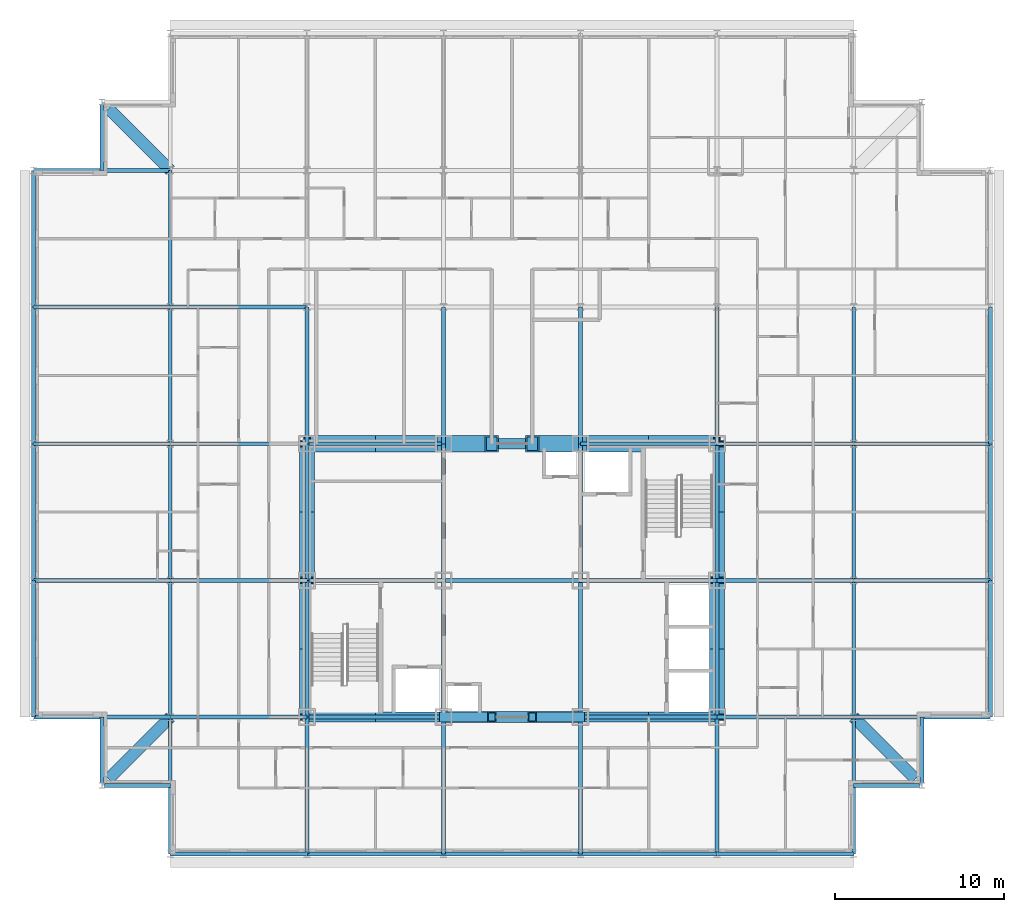
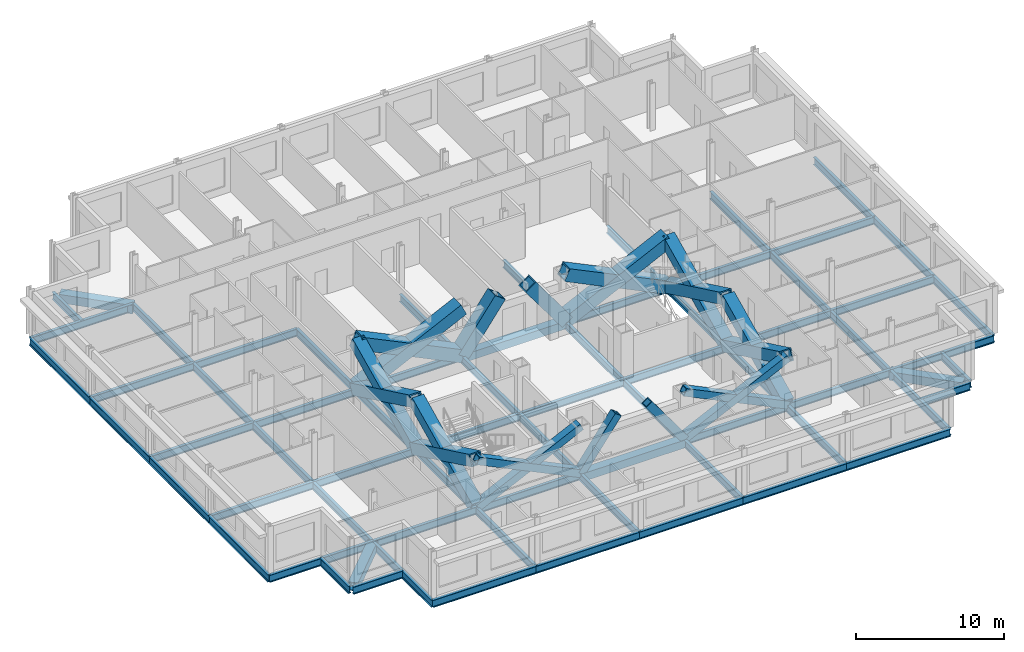
# One storey, part 5 of 15: 69 beams, 20 members.
"""IFC4 building model written with IfcOpenShell, lengths in metres."""

import ifcopenshell
import ifcopenshell.guid

model = None  # the IFC model being written
_history = None  # IfcOwnerHistory: only IFC2X3 demands one
_inside = {}  # id of a spatial element -> (the spatial element, [elements in it])
_under = {}  # id of a project, library or spatial element -> (it, [spatial elements below it])
_declared = {}  # id of a project -> (the project, [libraries it declares])
_typed = {}  # id of a type object -> (the type object, [elements of that type])
_made_of = {}  # id of a material, layer set ... -> (it, [elements and type objects made of it])


def new_model(schema):
    """Start an empty IFC model of exactly this schema.

    Asked for "IFC4X3", IfcOpenShell would pick the latest addendum, in which some entities
    have other attributes; the version numbers below select the first issue.
    IFC2X3 requires an IfcOwnerHistory on every rooted entity: one is made here for all.
    """
    global model, _history
    if schema == "IFC4X3":
        model = ifcopenshell.file(schema_version=(4, 3, 0, 0))
    else:
        model = ifcopenshell.file(schema=schema)
    _inside.clear()
    _under.clear()
    _declared.clear()
    _typed.clear()
    _made_of.clear()
    _history = None
    if model.schema == "IFC2X3":
        org = make("IfcOrganization", Name="unknown")
        user = make(
            "IfcPersonAndOrganization",
            ThePerson=make("IfcPerson", FamilyName="unknown"),
            TheOrganization=org,
        )
        app = make(
            "IfcApplication",
            ApplicationDeveloper=org,
            Version="unknown",
            ApplicationFullName="unknown",
            ApplicationIdentifier="unknown",
        )
        _history = make(
            "IfcOwnerHistory",
            OwningUser=user,
            OwningApplication=app,
            ChangeAction="ADDED",
            CreationDate=0,
        )
    return model


def make(cls, **values):
    """One entity of the class cls with the attributes given. An attribute that is None is left unset."""
    return model.create_entity(
        cls, **{name: value for name, value in values.items() if value is not None}
    )


def rooted(cls, **values):
    """An entity with a GlobalId (a new one), such as an element, a storey or a relation."""
    return make(cls, GlobalId=ifcopenshell.guid.new(), OwnerHistory=_history, **values)


def si_unit(unit_type, name, prefix=None):
    """IfcSIUnit, for example si_unit("LENGTHUNIT", "METRE", prefix="MILLI")."""
    return make("IfcSIUnit", UnitType=unit_type, Prefix=prefix, Name=name)


def assignment(units):
    """IfcUnitAssignment: the units of a project."""
    return None if units is None else make("IfcUnitAssignment", Units=units)


def point(xyz):
    """IfcCartesianPoint."""
    return None if xyz is None else make("IfcCartesianPoint", Coordinates=xyz)


def direction(xyz):
    """IfcDirection."""
    return None if xyz is None else make("IfcDirection", DirectionRatios=xyz)


def frame(location, z_axis=None, x_axis=None):
    """IfcAxis2Placement3D, a coordinate frame: its origin and axes. An axis left out is left unset."""
    return make(
        "IfcAxis2Placement3D",
        Location=point(location),
        Axis=direction(z_axis),
        RefDirection=direction(x_axis),
    )


def frame_2d(location, x_axis=None):
    """IfcAxis2Placement2D, a coordinate frame in the plane: its origin and x axis."""
    return make(
        "IfcAxis2Placement2D", Location=point(location), RefDirection=direction(x_axis)
    )


def origin():
    """The frame at (0, 0, 0) with its axes left unset."""
    return frame((0.0, 0.0, 0.0))


def origin_2d():
    """The frame at (0, 0) in the plane with its x axis left unset."""
    return frame_2d((0.0, 0.0))


def place(relative_to, where):
    """IfcLocalPlacement: puts the frame where relative to a parent placement (None: the world)."""
    return make(
        "IfcLocalPlacement", PlacementRelTo=relative_to, RelativePlacement=where
    )


def context(
    kind, dimensions, precision=None, world=None, true_north=None, identifier=None
):
    """IfcGeometricRepresentationContext, for example the 3D "Model" context."""
    return make(
        "IfcGeometricRepresentationContext",
        ContextIdentifier=identifier,
        ContextType=kind,
        CoordinateSpaceDimension=dimensions,
        Precision=precision,
        WorldCoordinateSystem=world,
        TrueNorth=true_north,
    )


def subcontext(parent, identifier, kind, view, scale=None):
    """IfcGeometricRepresentationSubContext, for example "Body" below "Model"."""
    return make(
        "IfcGeometricRepresentationSubContext",
        ContextIdentifier=identifier,
        ContextType=kind,
        ParentContext=parent,
        TargetScale=scale,
        TargetView=view,
    )


def project(units=None, contexts=None):
    """IfcProject with its units and contexts."""
    return rooted(
        "IfcProject",
        Name="project",
        RepresentationContexts=contexts,
        UnitsInContext=assignment(units),
    )


def spatial(cls, under=None, at=None, **own):
    """A site, building, storey or space (cls), placed at a placement, below another one or the project."""
    s = rooted(cls, ObjectPlacement=at, **own)
    if under is not None:
        _under.setdefault(under.id(), (under, []))[1].append(s)
    return s


def profile(cls, at=None, kind="AREA", **sizes):
    """A parametric profile (cls). Its sizes go by their IFC names, for example OverallWidth=200.0."""
    return make(cls, ProfileType=kind, Position=at, **sizes)


def hollow_rectangle(**sizes):
    """IfcRectangleHollowProfileDef."""
    return profile("IfcRectangleHollowProfileDef", **sizes)


def i_section(**sizes):
    """IfcIShapeProfileDef."""
    return profile("IfcIShapeProfileDef", **sizes)


def extrude(swept, where, along, depth):
    """IfcExtrudedAreaSolid: the profile swept, set in the frame where, extruded along a direction by depth."""
    return make(
        "IfcExtrudedAreaSolid",
        SweptArea=swept,
        Position=where,
        ExtrudedDirection=direction(along),
        Depth=depth,
    )


def shape(context_of_items, identifier, shape_type, items):
    """IfcShapeRepresentation: the items that make up one representation, for example the "Body"."""
    return make(
        "IfcShapeRepresentation",
        ContextOfItems=context_of_items,
        RepresentationIdentifier=identifier,
        RepresentationType=shape_type,
        Items=items,
    )


def material(Name=None, Category=None):
    """IfcMaterial."""
    return make("IfcMaterial", Name=Name, Category=Category)


def material_profile(
    of_material, cross_section, Name=None, Category=None, Priority=None
):
    """IfcMaterialProfile: a cross section and its material."""
    return make(
        "IfcMaterialProfile",
        Name=Name,
        Material=of_material,
        Profile=cross_section,
        Priority=Priority,
        Category=Category,
    )


def profile_set(profiles, Name=None, composite=None):
    """IfcMaterialProfileSet."""
    return make(
        "IfcMaterialProfileSet",
        Name=Name,
        MaterialProfiles=profiles,
        CompositeProfile=composite,
    )


def made_of(thing, what):
    """Note that an element or type object is made of a material, layer set ...; save() writes the relation."""
    if what is not None:
        _made_of.setdefault(what.id(), (what, []))[1].append(thing)
    return thing


def type_object(cls, material=None, **own):
    """A type object (cls), such as IfcWallType, which elements share."""
    return made_of(rooted(cls, **own), material)


def element(
    cls,
    number,
    at=None,
    inside=None,
    cuts=None,
    type_object=None,
    material=None,
    context=None,
    identifier="Body",
    shape_type=None,
    held_by="IfcProductDefinitionShape",
    body=None,
    shapes=None,
    **own,
):
    """One element of the class cls, such as IfcWall. Its Tag is "e" and its number.

    at: its placement. inside: the storey or other place that contains it. cuts: it is an
    opening in that element (IfcRelVoidsElement). A single representation is given by context,
    identifier, shape_type and body (its items); several are given by shapes. held_by: the class
    of the entity that holds the representations. save() writes the other relations.
    """
    e = rooted(cls, Tag="e%d" % number, ObjectPlacement=at, **own)
    if body is not None:
        shapes = [shape(context, identifier, shape_type, body)]
    if shapes is not None:
        e.Representation = make(held_by, Representations=shapes)
    if inside is not None:
        _inside.setdefault(inside.id(), (inside, []))[1].append(e)
    if cuts is not None:
        rooted(
            "IfcRelVoidsElement", RelatingBuildingElement=cuts, RelatedOpeningElement=e
        )
    if type_object is not None:
        _typed.setdefault(type_object.id(), (type_object, []))[1].append(e)
    return made_of(e, material)


def aggregate(whole, parts):
    """IfcRelAggregates: a whole, such as a stair, and the parts it consists of."""
    return rooted("IfcRelAggregates", RelatingObject=whole, RelatedObjects=parts)


def save(model, path):
    """Write the relations noted so far, then the file.

    IfcRelAggregates (storeys below a building ...), IfcRelContainedInSpatialStructure (elements
    in a storey), IfcRelDefinesByType, IfcRelAssociatesMaterial and IfcRelDeclares: one each for
    every whole, place, type object, material and project.
    """
    for whole, parts in _under.values():
        aggregate(whole, parts)
    for where, things in _inside.values():
        rooted(
            "IfcRelContainedInSpatialStructure",
            RelatedElements=things,
            RelatingStructure=where,
        )
    for kind, things in _typed.values():
        rooted("IfcRelDefinesByType", RelatedObjects=things, RelatingType=kind)
    for what, things in _made_of.values():
        rooted("IfcRelAssociatesMaterial", RelatedObjects=things, RelatingMaterial=what)
    for by, libraries in _declared.values():
        rooted("IfcRelDeclares", RelatingContext=by, RelatedDefinitions=libraries)
    model.write(path)


model = new_model("IFC4")

# Units and contexts
model_context = context("Model", 3, precision=1e-05, world=origin(), true_north=direction((0.0, 1.0)))
body_context = subcontext(model_context, "Body", "Model", "MODEL_VIEW")
ifc_project = project(units=[si_unit("LENGTHUNIT", "METRE"), si_unit("AREAUNIT", "SQUARE_METRE"), si_unit("VOLUMEUNIT", "CUBIC_METRE"), si_unit("PLANEANGLEUNIT", "RADIAN"), si_unit("MASSUNIT", "GRAM", prefix="KILO")], contexts=[model_context])

# Site, building, storey
site_placement = place(None, origin())
site = spatial("IfcSite", under=ifc_project, at=site_placement, CompositionType="ELEMENT")
building_placement = place(site_placement, origin())
building = spatial("IfcBuilding", under=site, at=building_placement, Name="Kopane Lantern Tower", CompositionType="ELEMENT")
storey_placement = place(building_placement, frame((0.0, 0.0, 273.60009765625)))
storey = spatial("IfcBuildingStorey", under=building, at=storey_placement, Name="L70", CompositionType="ELEMENT", Elevation=273.60009765625)

# Members
ifc_material_1 = material(Name="Steel S355JR", Category="steel")
ifc_material_profile_1 = material_profile(ifc_material_1, hollow_rectangle(XDim=1.0, YDim=1.0, WallThickness=0.10009765625, at=origin_2d()), Name="BOX 1000x1000x100")
ifc_profile_set_1 = profile_set([ifc_material_profile_1], Name="Steel S355JR")
member_type_1 = type_object("IfcMemberType", Name="BRACE BOX 1000x1000x100", PredefinedType="BRACE", material=ifc_profile_set_1)
for number, where, z_axis, x_axis, name in (
    (1, (16.199951171875, 40.5, -0.210205078125), (0.900997345243, 0.0, 0.433824600345), (0.0, 1.0, 0.0), "Core brace L70"),
    (2, (24.300048828125, 40.5, -0.210205078125), (-0.900997345243, 0.0, 0.433824600345), (0.0, -1.0, 0.0), "Core brace L70"),
):
    element("IfcMember", number, at=place(storey_placement, frame(where, z_axis=z_axis, x_axis=x_axis)), inside=storey, type_object=member_type_1, Name=name, PredefinedType="BRACE", context=body_context, shape_type="SweptSolid", body=[
        extrude(hollow_rectangle(XDim=1.0, YDim=1.0, WallThickness=0.10009765625, at=origin_2d()), origin(), (0.0, 0.0, 1.0), 8.990234375),
    ])
for number, where, z_axis, x_axis, name in (
    (3, (24.300048828125, 40.5, -0.210205078125), (0.589982373942, 0.0, 0.807416124708), (0.0, 1.0, 0.0), "Core brace L70"),
    (4, (32.39990234375, 40.5, -0.210205078125), (-0.589982373942, 0.0, 0.807416124708), (0.0, -1.0, 0.0), "Core brace L70"),
):
    element("IfcMember", number, at=place(storey_placement, frame(where, z_axis=z_axis, x_axis=x_axis)), inside=storey, type_object=member_type_1, Name=name, PredefinedType="BRACE", context=body_context, shape_type="SweptSolid", body=[
        extrude(hollow_rectangle(XDim=1.0, YDim=1.0, WallThickness=0.10009765625, at=origin_2d()), origin(), (0.0, 0.0, 1.0), 4.830322265625),
    ])
for number, where, z_axis, x_axis, name in (
    (5, (32.39990234375, 40.5, -0.210205078125), (0.900997345243, 0.0, 0.433824600345), (0.0, 1.0, 0.0), "Core brace L70"),
    (6, (40.5, 40.5, -0.210205078125), (-0.900997345243, 0.0, 0.433824600345), (0.0, -1.0, 0.0), "Core brace L70"),
):
    element("IfcMember", number, at=place(storey_placement, frame(where, z_axis=z_axis, x_axis=x_axis)), inside=storey, type_object=member_type_1, Name=name, PredefinedType="BRACE", context=body_context, shape_type="SweptSolid", body=[
        extrude(hollow_rectangle(XDim=1.0, YDim=1.0, WallThickness=0.10009765625, at=origin_2d()), origin(), (0.0, 0.0, 1.0), 8.990234375),
    ])
ifc_material_2 = material(Name="Steel S355JR", Category="steel")
ifc_material_profile_2 = material_profile(ifc_material_2, hollow_rectangle(XDim=0.60009765625, YDim=0.60009765625, WallThickness=0.06005859375, at=origin_2d()), Name="BOX 600x600x60")
ifc_profile_set_2 = profile_set([ifc_material_profile_2], Name="Steel S355JR")
member_type_2 = type_object("IfcMemberType", Name="BRACE BOX 600x600x60", PredefinedType="BRACE", material=ifc_profile_set_2)
for number, where, z_axis, x_axis, name in (
    (7, (16.199951171875, 24.300048828125, -0.210205078125), (0.900997345243, 0.0, 0.433824600345), (0.0, 1.0, 0.0), "Core brace L70"),
    (8, (24.300048828125, 24.300048828125, -0.210205078125), (-0.900997345243, 0.0, 0.433824600345), (0.0, -1.0, 0.0), "Core brace L70"),
):
    element("IfcMember", number, at=place(storey_placement, frame(where, z_axis=z_axis, x_axis=x_axis)), inside=storey, type_object=member_type_2, Name=name, PredefinedType="BRACE", context=body_context, shape_type="SweptSolid", body=[
        extrude(hollow_rectangle(XDim=0.60009765625, YDim=0.60009765625, WallThickness=0.06005859375, at=origin_2d()), origin(), (0.0, 0.0, 1.0), 8.990234375),
    ])
for number, where, z_axis, x_axis, name in (
    (9, (24.300048828125, 24.300048828125, -0.210205078125), (0.589982373942, 0.0, 0.807416124708), (0.0, 1.0, 0.0), "Core brace L70"),
    (10, (32.39990234375, 24.300048828125, -0.210205078125), (-0.589982373942, 0.0, 0.807416124708), (0.0, -1.0, 0.0), "Core brace L70"),
):
    element("IfcMember", number, at=place(storey_placement, frame(where, z_axis=z_axis, x_axis=x_axis)), inside=storey, type_object=member_type_2, Name=name, PredefinedType="BRACE", context=body_context, shape_type="SweptSolid", body=[
        extrude(hollow_rectangle(XDim=0.60009765625, YDim=0.60009765625, WallThickness=0.06005859375, at=origin_2d()), origin(), (0.0, 0.0, 1.0), 4.830322265625),
    ])
for number, where, z_axis, x_axis, name in (
    (11, (32.39990234375, 24.300048828125, -0.210205078125), (0.900997345243, 0.0, 0.433824600345), (0.0, 1.0, 0.0), "Core brace L70"),
    (12, (40.5, 24.300048828125, -0.210205078125), (-0.900997345243, 0.0, 0.433824600345), (0.0, -1.0, 0.0), "Core brace L70"),
):
    element("IfcMember", number, at=place(storey_placement, frame(where, z_axis=z_axis, x_axis=x_axis)), inside=storey, type_object=member_type_2, Name=name, PredefinedType="BRACE", context=body_context, shape_type="SweptSolid", body=[
        extrude(hollow_rectangle(XDim=0.60009765625, YDim=0.60009765625, WallThickness=0.06005859375, at=origin_2d()), origin(), (0.0, 0.0, 1.0), 8.990234375),
    ])
ifc_material_3 = material(Name="Steel S355JR", Category="steel")
ifc_material_profile_3 = material_profile(ifc_material_3, hollow_rectangle(XDim=0.89990234375, YDim=0.89990234375, WallThickness=0.090087890625, at=origin_2d()), Name="BOX 900x900x90")
ifc_profile_set_3 = profile_set([ifc_material_profile_3], Name="Steel S355JR")
member_type_3 = type_object("IfcMemberType", Name="BRACE BOX 900x900x90", PredefinedType="BRACE", material=ifc_profile_set_3)
for number, where, z_axis, x_axis, name in (
    (13, (16.199951171875, 24.300048828125, -0.210205078125), (0.0, 0.900992234105, 0.433835215355), (-1.0, 0.0, 0.0), "Core brace L70"),
    (14, (16.199951171875, 32.39990234375, -0.210205078125), (0.0, -0.900992234105, 0.433835215355), (1.0, 0.0, 0.0), "Core brace L70"),
):
    element("IfcMember", number, at=place(storey_placement, frame(where, z_axis=z_axis, x_axis=x_axis)), inside=storey, type_object=member_type_3, Name=name, PredefinedType="BRACE", context=body_context, shape_type="SweptSolid", body=[
        extrude(hollow_rectangle(XDim=0.89990234375, YDim=0.89990234375, WallThickness=0.090087890625, at=origin_2d()), origin(), (0.0, 0.0, 1.0), 8.989990234375),
    ])
for number, where, z_axis, x_axis, name in (
    (15, (16.199951171875, 32.39990234375, -0.210205078125), (0.0, 0.900997345243, 0.433824600345), (-1.0, 0.0, 0.0), "Core brace L70"),
    (16, (16.199951171875, 40.5, -0.210205078125), (0.0, -0.900997345243, 0.433824600345), (1.0, 0.0, 0.0), "Core brace L70"),
):
    element("IfcMember", number, at=place(storey_placement, frame(where, z_axis=z_axis, x_axis=x_axis)), inside=storey, type_object=member_type_3, Name=name, PredefinedType="BRACE", context=body_context, shape_type="SweptSolid", body=[
        extrude(hollow_rectangle(XDim=0.89990234375, YDim=0.89990234375, WallThickness=0.090087890625, at=origin_2d()), origin(), (0.0, 0.0, 1.0), 8.990234375),
    ])
for number, where, z_axis, x_axis, name in (
    (17, (40.5, 24.300048828125, -0.210205078125), (0.0, 0.900992234105, 0.433835215355), (-1.0, 0.0, 0.0), "Core brace L70"),
    (18, (40.5, 32.39990234375, -0.210205078125), (0.0, -0.900992234105, 0.433835215355), (1.0, 0.0, 0.0), "Core brace L70"),
):
    element("IfcMember", number, at=place(storey_placement, frame(where, z_axis=z_axis, x_axis=x_axis)), inside=storey, type_object=member_type_3, Name=name, PredefinedType="BRACE", context=body_context, shape_type="SweptSolid", body=[
        extrude(hollow_rectangle(XDim=0.89990234375, YDim=0.89990234375, WallThickness=0.090087890625, at=origin_2d()), origin(), (0.0, 0.0, 1.0), 8.989990234375),
    ])
for number, where, z_axis, x_axis, name in (
    (19, (40.5, 32.39990234375, -0.210205078125), (0.0, 0.900997345243, 0.433824600345), (-1.0, 0.0, 0.0), "Core brace L70"),
    (20, (40.5, 40.5, -0.210205078125), (0.0, -0.900997345243, 0.433824600345), (1.0, 0.0, 0.0), "Core brace L70"),
):
    element("IfcMember", number, at=place(storey_placement, frame(where, z_axis=z_axis, x_axis=x_axis)), inside=storey, type_object=member_type_3, Name=name, PredefinedType="BRACE", context=body_context, shape_type="SweptSolid", body=[
        extrude(hollow_rectangle(XDim=0.89990234375, YDim=0.89990234375, WallThickness=0.090087890625, at=origin_2d()), origin(), (0.0, 0.0, 1.0), 8.990234375),
    ])

# Beams
ifc_material_4 = material(Name="Steel S355JR", Category="steel")
ifc_material_profile_4 = material_profile(ifc_material_4, i_section(OverallWidth=0.22900390625, OverallDepth=0.6123046875, WebThickness=0.011962890625, FlangeThickness=0.01953125, FilletRadius=0.0126953125, at=origin_2d()), Name="UB 610x229x125")
ifc_profile_set_4 = profile_set([ifc_material_profile_4], Name="Steel S355JR")
beam_type_1 = type_object("IfcBeamType", Name="CORE BEAM UB 610x229x125", PredefinedType="BEAM", material=ifc_profile_set_4)
beam_1_placement = place(storey_placement, frame((16.199951171875, 32.39990234375, -0.51611328125), z_axis=(1.0, 0.0, 0.0), x_axis=(0.0, 1.0, 0.0)))
element("IfcBeam", 21, at=beam_1_placement, inside=storey, type_object=beam_type_1, Name="Core Beam L70", PredefinedType="BEAM", context=body_context, shape_type="SweptSolid", body=[
    extrude(i_section(OverallWidth=0.22900390625, OverallDepth=0.6123046875, WebThickness=0.011962890625, FlangeThickness=0.01953125, FilletRadius=0.0126953125, at=origin_2d()), origin(), (0.0, 0.0, 1.0), 8.10009765625),
])
beam_2_placement = place(storey_placement, frame((24.300048828125, 24.300048828125, -0.51611328125), z_axis=(0.0, 1.0, 0.0), x_axis=(-1.0, 0.0, 0.0)))
element("IfcBeam", 22, at=beam_2_placement, inside=storey, type_object=beam_type_1, Name="Core Beam L70", PredefinedType="BEAM", context=body_context, shape_type="SweptSolid", body=[
    extrude(i_section(OverallWidth=0.22900390625, OverallDepth=0.6123046875, WebThickness=0.011962890625, FlangeThickness=0.01953125, FilletRadius=0.0126953125, at=origin_2d()), origin(), (0.0, 0.0, 1.0), 8.099853515625),
])
beam_3_placement = place(storey_placement, frame((24.300048828125, 32.39990234375, -0.51611328125), z_axis=(0.0, 1.0, 0.0), x_axis=(-1.0, 0.0, 0.0)))
element("IfcBeam", 23, at=beam_3_placement, inside=storey, type_object=beam_type_1, Name="Core Beam L70", PredefinedType="BEAM", context=body_context, shape_type="SweptSolid", body=[
    extrude(i_section(OverallWidth=0.22900390625, OverallDepth=0.6123046875, WebThickness=0.011962890625, FlangeThickness=0.01953125, FilletRadius=0.0126953125, at=origin_2d()), origin(), (0.0, 0.0, 1.0), 8.10009765625),
])
for number, where, z_axis, x_axis, name in (
    (24, (24.300048828125, 32.39990234375, -0.51611328125), (1.0, 0.0, 0.0), (0.0, 1.0, 0.0), "Core Beam L70"),
    (25, (32.39990234375, 24.300048828125, -0.51611328125), (0.0, 1.0, 0.0), (-1.0, 0.0, 0.0), "Core Beam L70"),
):
    element("IfcBeam", number, at=place(storey_placement, frame(where, z_axis=z_axis, x_axis=x_axis)), inside=storey, type_object=beam_type_1, Name=name, PredefinedType="BEAM", context=body_context, shape_type="SweptSolid", body=[
        extrude(i_section(OverallWidth=0.22900390625, OverallDepth=0.6123046875, WebThickness=0.011962890625, FlangeThickness=0.01953125, FilletRadius=0.0126953125, at=origin_2d()), origin(), (0.0, 0.0, 1.0), 8.099853515625),
    ])
for number, where, z_axis, x_axis, name in (
    (26, (32.39990234375, 32.39990234375, -0.51611328125), (0.0, 1.0, 0.0), (-1.0, 0.0, 0.0), "Core Beam L70"),
    (27, (32.39990234375, 32.39990234375, -0.51611328125), (1.0, 0.0, 0.0), (0.0, 1.0, 0.0), "Core Beam L70"),
):
    element("IfcBeam", number, at=place(storey_placement, frame(where, z_axis=z_axis, x_axis=x_axis)), inside=storey, type_object=beam_type_1, Name=name, PredefinedType="BEAM", context=body_context, shape_type="SweptSolid", body=[
        extrude(i_section(OverallWidth=0.22900390625, OverallDepth=0.6123046875, WebThickness=0.011962890625, FlangeThickness=0.01953125, FilletRadius=0.0126953125, at=origin_2d()), origin(), (0.0, 0.0, 1.0), 8.10009765625),
    ])
ifc_material_5 = material(Name="Steel S355JR", Category="steel")
ifc_material_profile_5 = material_profile(ifc_material_5, hollow_rectangle(XDim=0.699951171875, YDim=0.699951171875, WallThickness=0.06005859375, at=origin_2d()), Name="BOX 700x700x60")
ifc_profile_set_5 = profile_set([ifc_material_profile_5], Name="Steel S355JR")
beam_type_2 = type_object("IfcBeamType", Name="CORNER TIE BEAM BOX 700x700x60", PredefinedType="BEAM", material=ifc_profile_set_5)
for number, where, z_axis, x_axis, name in (
    (28, (4.447509765625, 20.6474609375, -0.56005859375), (0.707106781187, 0.707106781187, 0.0), (-0.707106781187, 0.707106781187, 0.0), "Corner Tie Beam L70"),
    (29, (4.447509765625, 60.3525390625, -0.56005859375), (0.707106781187, -0.707106781187, 0.0), (0.707106781187, 0.707106781187, 0.0), "Corner Tie Beam L70"),
):
    element("IfcBeam", number, at=place(storey_placement, frame(where, z_axis=z_axis, x_axis=x_axis)), inside=storey, type_object=beam_type_2, Name=name, PredefinedType="BEAM", context=body_context, shape_type="SweptSolid", body=[
        extrude(hollow_rectangle(XDim=0.699951171875, YDim=0.699951171875, WallThickness=0.06005859375, at=origin_2d()), origin(), (0.0, 0.0, 1.0), 5.16552734375),
    ])
beam_4_placement = place(storey_placement, frame((52.25244140625, 20.6474609375, -0.56005859375), z_axis=(-0.707083148333, 0.70713041325, 0.0), x_axis=(-0.70713041325, -0.707083148333, 0.0)))
element("IfcBeam", 30, at=beam_4_placement, inside=storey, type_object=beam_type_2, Name="Corner Tie Beam L70", PredefinedType="BEAM", context=body_context, shape_type="SweptSolid", body=[
    extrude(hollow_rectangle(XDim=0.699951171875, YDim=0.699951171875, WallThickness=0.06005859375, at=origin_2d()), origin(), (0.0, 0.0, 1.0), 5.165283203125),
])
ifc_material_6 = material(Name="Steel S355JR", Category="steel")
ifc_material_profile_6 = material_profile(ifc_material_6, i_section(OverallWidth=0.22900390625, OverallDepth=0.6123046875, WebThickness=0.011962890625, FlangeThickness=0.01953125, FilletRadius=0.0126953125, at=origin_2d()), Name="UB 610x229x125")
ifc_profile_set_6 = profile_set([ifc_material_profile_6], Name="Steel S355JR")
beam_type_3 = type_object("IfcBeamType", Name="EDGE BEAM UB 610x229x125", PredefinedType="BEAM", material=ifc_profile_set_6)
beam_5_placement = place(storey_placement, frame((4.050048828125, 20.40380859375, -0.51611328125), z_axis=(0.0, 1.0, 0.0), x_axis=(-1.0, 0.0, 0.0)))
element("IfcBeam", 31, at=beam_5_placement, inside=storey, type_object=beam_type_3, Name="Edge Beam L70", PredefinedType="BEAM", context=body_context, shape_type="SweptSolid", body=[
    extrude(i_section(OverallWidth=0.22900390625, OverallDepth=0.6123046875, WebThickness=0.011962890625, FlangeThickness=0.01953125, FilletRadius=0.0126953125, at=origin_2d()), origin(), (0.0, 0.0, 1.0), 3.896240234375),
])
beam_6_placement = place(storey_placement, frame((4.20361328125, 20.25, -0.51611328125), z_axis=(1.0, 0.0, 0.0), x_axis=(0.0, 1.0, 0.0)))
element("IfcBeam", 32, at=beam_6_placement, inside=storey, type_object=beam_type_3, Name="Edge Beam L70", PredefinedType="BEAM", context=body_context, shape_type="SweptSolid", body=[
    extrude(i_section(OverallWidth=0.22900390625, OverallDepth=0.6123046875, WebThickness=0.011962890625, FlangeThickness=0.01953125, FilletRadius=0.0126953125, at=origin_2d()), origin(), (0.0, 0.0, 1.0), 3.896484375),
])
for number, where, z_axis, x_axis, name in (
    (33, (4.050048828125, 60.59619140625, -0.51611328125), (0.0, -1.0, 0.0), (1.0, 0.0, 0.0), "Edge Beam L70"),
    (34, (52.496337890625, 20.25, -0.51611328125), (-1.0, 0.0, 0.0), (0.0, -1.0, 0.0), "Edge Beam L70"),
    (35, (52.64990234375, 20.40380859375, -0.51611328125), (0.0, 1.0, 0.0), (-1.0, 0.0, 0.0), "Edge Beam L70"),
):
    element("IfcBeam", number, at=place(storey_placement, frame(where, z_axis=z_axis, x_axis=x_axis)), inside=storey, type_object=beam_type_3, Name=name, PredefinedType="BEAM", context=body_context, shape_type="SweptSolid", body=[
        extrude(i_section(OverallWidth=0.22900390625, OverallDepth=0.6123046875, WebThickness=0.011962890625, FlangeThickness=0.01953125, FilletRadius=0.0126953125, at=origin_2d()), origin(), (0.0, 0.0, 1.0), 3.896240234375),
    ])
ifc_material_7 = material(Name="Steel S355JR", Category="steel")
ifc_material_profile_7 = material_profile(ifc_material_7, i_section(OverallWidth=0.22900390625, OverallDepth=0.6123046875, WebThickness=0.011962890625, FlangeThickness=0.01953125, FilletRadius=0.0126953125, at=origin_2d()), Name="UB 610x229x125")
ifc_profile_set_7 = profile_set([ifc_material_profile_7], Name="Steel S355JR")
beam_type_4 = type_object("IfcBeamType", Name="GIRDER UB 610x229x125", PredefinedType="BEAM", material=ifc_profile_set_7)
beam_7_placement = place(storey_placement, frame((0.0, 24.300048828125, -0.51611328125), z_axis=(0.0, 1.0, 0.0), x_axis=(-1.0, 0.0, 0.0)))
element("IfcBeam", 36, at=beam_7_placement, inside=storey, type_object=beam_type_4, Name="Girder L70", PredefinedType="BEAM", context=body_context, shape_type="SweptSolid", body=[
    extrude(i_section(OverallWidth=0.22900390625, OverallDepth=0.6123046875, WebThickness=0.011962890625, FlangeThickness=0.01953125, FilletRadius=0.0126953125, at=origin_2d()), origin(), (0.0, 0.0, 1.0), 8.099853515625),
])
for number, where, z_axis, x_axis, name in (
    (37, (0.0, 24.300048828125, -0.51611328125), (1.0, 0.0, 0.0), (0.0, 1.0, 0.0), "Girder L70"),
    (38, (0.0, 32.39990234375, -0.51611328125), (0.0, 1.0, 0.0), (-1.0, 0.0, 0.0), "Girder L70"),
    (39, (0.0, 32.39990234375, -0.51611328125), (1.0, 0.0, 0.0), (0.0, 1.0, 0.0), "Girder L70"),
    (40, (0.0, 40.5, -0.51611328125), (0.0, 1.0, 0.0), (-1.0, 0.0, 0.0), "Girder L70"),
    (41, (0.0, 40.5, -0.51611328125), (1.0, 0.0, 0.0), (0.0, 1.0, 0.0), "Girder L70"),
):
    element("IfcBeam", number, at=place(storey_placement, frame(where, z_axis=z_axis, x_axis=x_axis)), inside=storey, type_object=beam_type_4, Name=name, PredefinedType="BEAM", context=body_context, shape_type="SweptSolid", body=[
        extrude(i_section(OverallWidth=0.22900390625, OverallDepth=0.6123046875, WebThickness=0.011962890625, FlangeThickness=0.01953125, FilletRadius=0.0126953125, at=origin_2d()), origin(), (0.0, 0.0, 1.0), 8.10009765625),
    ])
beam_8_placement = place(storey_placement, frame((0.0, 48.60009765625, -0.51611328125), z_axis=(0.0, 1.0, 0.0), x_axis=(-1.0, 0.0, 0.0)))
element("IfcBeam", 42, at=beam_8_placement, inside=storey, type_object=beam_type_4, Name="Girder L70", PredefinedType="BEAM", context=body_context, shape_type="SweptSolid", body=[
    extrude(i_section(OverallWidth=0.22900390625, OverallDepth=0.6123046875, WebThickness=0.011962890625, FlangeThickness=0.01953125, FilletRadius=0.0126953125, at=origin_2d()), origin(), (0.0, 0.0, 1.0), 8.099853515625),
])
for number, where, z_axis, x_axis, name in (
    (43, (0.0, 48.60009765625, -0.51611328125), (1.0, 0.0, 0.0), (0.0, 1.0, 0.0), "Girder L70"),
    (44, (0.0, 56.699951171875, -0.51611328125), (1.0, 0.0, 0.0), (0.0, 1.0, 0.0), "Girder L70"),
    (45, (8.10009765625, 16.199951171875, -0.51611328125), (0.0, 1.0, 0.0), (-1.0, 0.0, 0.0), "Girder L70"),
):
    element("IfcBeam", number, at=place(storey_placement, frame(where, z_axis=z_axis, x_axis=x_axis)), inside=storey, type_object=beam_type_4, Name=name, PredefinedType="BEAM", context=body_context, shape_type="SweptSolid", body=[
        extrude(i_section(OverallWidth=0.22900390625, OverallDepth=0.6123046875, WebThickness=0.011962890625, FlangeThickness=0.01953125, FilletRadius=0.0126953125, at=origin_2d()), origin(), (0.0, 0.0, 1.0), 8.10009765625),
    ])
for number, where, z_axis, x_axis, name in (
    (46, (8.10009765625, 16.199951171875, -0.51611328125), (1.0, 0.0, 0.0), (0.0, 1.0, 0.0), "Girder L70"),
    (47, (8.10009765625, 24.300048828125, -0.51611328125), (0.0, 1.0, 0.0), (-1.0, 0.0, 0.0), "Girder L70"),
    (48, (8.10009765625, 24.300048828125, -0.51611328125), (1.0, 0.0, 0.0), (0.0, 1.0, 0.0), "Girder L70"),
):
    element("IfcBeam", number, at=place(storey_placement, frame(where, z_axis=z_axis, x_axis=x_axis)), inside=storey, type_object=beam_type_4, Name=name, PredefinedType="BEAM", context=body_context, shape_type="SweptSolid", body=[
        extrude(i_section(OverallWidth=0.22900390625, OverallDepth=0.6123046875, WebThickness=0.011962890625, FlangeThickness=0.01953125, FilletRadius=0.0126953125, at=origin_2d()), origin(), (0.0, 0.0, 1.0), 8.099853515625),
    ])
beam_9_placement = place(storey_placement, frame((8.10009765625, 32.39990234375, -0.51611328125), z_axis=(0.0, 1.0, 0.0), x_axis=(-1.0, 0.0, 0.0)))
element("IfcBeam", 49, at=beam_9_placement, inside=storey, type_object=beam_type_4, Name="Girder L70", PredefinedType="BEAM", context=body_context, shape_type="SweptSolid", body=[
    extrude(i_section(OverallWidth=0.22900390625, OverallDepth=0.6123046875, WebThickness=0.011962890625, FlangeThickness=0.01953125, FilletRadius=0.0126953125, at=origin_2d()), origin(), (0.0, 0.0, 1.0), 8.10009765625),
])
beam_10_placement = place(storey_placement, frame((8.10009765625, 32.39990234375, -0.51611328125), z_axis=(1.0, 0.0, 0.0), x_axis=(0.0, 1.0, 0.0)))
element("IfcBeam", 50, at=beam_10_placement, inside=storey, type_object=beam_type_4, Name="Girder L70", PredefinedType="BEAM", context=body_context, shape_type="SweptSolid", body=[
    extrude(i_section(OverallWidth=0.22900390625, OverallDepth=0.6123046875, WebThickness=0.011962890625, FlangeThickness=0.01953125, FilletRadius=0.0126953125, at=origin_2d()), origin(), (0.0, 0.0, 1.0), 8.099853515625),
])
beam_11_placement = place(storey_placement, frame((8.10009765625, 40.5, -0.51611328125), z_axis=(0.0, 1.0, 0.0), x_axis=(-1.0, 0.0, 0.0)))
element("IfcBeam", 51, at=beam_11_placement, inside=storey, type_object=beam_type_4, Name="Girder L70", PredefinedType="BEAM", context=body_context, shape_type="SweptSolid", body=[
    extrude(i_section(OverallWidth=0.22900390625, OverallDepth=0.6123046875, WebThickness=0.011962890625, FlangeThickness=0.01953125, FilletRadius=0.0126953125, at=origin_2d()), origin(), (0.0, 0.0, 1.0), 8.10009765625),
])
for number, where, z_axis, x_axis, name in (
    (52, (8.10009765625, 40.5, -0.51611328125), (1.0, 0.0, 0.0), (0.0, 1.0, 0.0), "Girder L70"),
    (53, (8.10009765625, 48.60009765625, -0.51611328125), (0.0, 1.0, 0.0), (-1.0, 0.0, 0.0), "Girder L70"),
    (54, (8.10009765625, 48.60009765625, -0.51611328125), (1.0, 0.0, 0.0), (0.0, 1.0, 0.0), "Girder L70"),
):
    element("IfcBeam", number, at=place(storey_placement, frame(where, z_axis=z_axis, x_axis=x_axis)), inside=storey, type_object=beam_type_4, Name=name, PredefinedType="BEAM", context=body_context, shape_type="SweptSolid", body=[
        extrude(i_section(OverallWidth=0.22900390625, OverallDepth=0.6123046875, WebThickness=0.011962890625, FlangeThickness=0.01953125, FilletRadius=0.0126953125, at=origin_2d()), origin(), (0.0, 0.0, 1.0), 8.099853515625),
    ])
for number, where, z_axis, x_axis, name in (
    (55, (16.199951171875, 16.199951171875, -0.51611328125), (0.0, 1.0, 0.0), (-1.0, 0.0, 0.0), "Girder L70"),
    (56, (16.199951171875, 16.199951171875, -0.51611328125), (1.0, 0.0, 0.0), (0.0, 1.0, 0.0), "Girder L70"),
):
    element("IfcBeam", number, at=place(storey_placement, frame(where, z_axis=z_axis, x_axis=x_axis)), inside=storey, type_object=beam_type_4, Name=name, PredefinedType="BEAM", context=body_context, shape_type="SweptSolid", body=[
        extrude(i_section(OverallWidth=0.22900390625, OverallDepth=0.6123046875, WebThickness=0.011962890625, FlangeThickness=0.01953125, FilletRadius=0.0126953125, at=origin_2d()), origin(), (0.0, 0.0, 1.0), 8.10009765625),
    ])
beam_12_placement = place(storey_placement, frame((16.199951171875, 24.300048828125, -0.51611328125), z_axis=(0.0, 1.0, 0.0), x_axis=(-1.0, 0.0, 0.0)))
element("IfcBeam", 57, at=beam_12_placement, inside=storey, type_object=beam_type_4, Name="Girder L70", PredefinedType="BEAM", context=body_context, shape_type="SweptSolid", body=[
    extrude(i_section(OverallWidth=0.22900390625, OverallDepth=0.6123046875, WebThickness=0.011962890625, FlangeThickness=0.01953125, FilletRadius=0.0126953125, at=origin_2d()), origin(), (0.0, 0.0, 1.0), 8.099853515625),
])
for number, where, z_axis, x_axis, name in (
    (58, (16.199951171875, 24.300048828125, -0.51611328125), (1.0, 0.0, 0.0), (0.0, 1.0, 0.0), "Girder L70"),
    (59, (16.199951171875, 32.39990234375, -0.51611328125), (0.0, 1.0, 0.0), (-1.0, 0.0, 0.0), "Girder L70"),
    (60, (16.199951171875, 40.5, -0.51611328125), (0.0, 1.0, 0.0), (-1.0, 0.0, 0.0), "Girder L70"),
    (61, (16.199951171875, 40.5, -0.51611328125), (1.0, 0.0, 0.0), (0.0, 1.0, 0.0), "Girder L70"),
    (62, (24.300048828125, 16.199951171875, -0.51611328125), (0.0, 1.0, 0.0), (-1.0, 0.0, 0.0), "Girder L70"),
):
    element("IfcBeam", number, at=place(storey_placement, frame(where, z_axis=z_axis, x_axis=x_axis)), inside=storey, type_object=beam_type_4, Name=name, PredefinedType="BEAM", context=body_context, shape_type="SweptSolid", body=[
        extrude(i_section(OverallWidth=0.22900390625, OverallDepth=0.6123046875, WebThickness=0.011962890625, FlangeThickness=0.01953125, FilletRadius=0.0126953125, at=origin_2d()), origin(), (0.0, 0.0, 1.0), 8.10009765625),
    ])
beam_13_placement = place(storey_placement, frame((24.300048828125, 16.199951171875, -0.51611328125), z_axis=(1.0, 0.0, 0.0), x_axis=(0.0, 1.0, 0.0)))
element("IfcBeam", 63, at=beam_13_placement, inside=storey, type_object=beam_type_4, Name="Girder L70", PredefinedType="BEAM", context=body_context, shape_type="SweptSolid", body=[
    extrude(i_section(OverallWidth=0.22900390625, OverallDepth=0.6123046875, WebThickness=0.011962890625, FlangeThickness=0.01953125, FilletRadius=0.0126953125, at=origin_2d()), origin(), (0.0, 0.0, 1.0), 8.099853515625),
])
for number, where, z_axis, x_axis, name in (
    (64, (24.300048828125, 40.5, -0.51611328125), (0.0, 1.0, 0.0), (-1.0, 0.0, 0.0), "Girder L70"),
    (65, (32.39990234375, 16.199951171875, -0.51611328125), (0.0, 1.0, 0.0), (-1.0, 0.0, 0.0), "Girder L70"),
    (66, (32.39990234375, 16.199951171875, -0.51611328125), (1.0, 0.0, 0.0), (0.0, 1.0, 0.0), "Girder L70"),
    (67, (32.39990234375, 24.300048828125, -0.51611328125), (1.0, 0.0, 0.0), (0.0, 1.0, 0.0), "Girder L70"),
    (68, (32.39990234375, 40.5, -0.51611328125), (0.0, 1.0, 0.0), (-1.0, 0.0, 0.0), "Girder L70"),
    (69, (32.39990234375, 40.5, -0.51611328125), (1.0, 0.0, 0.0), (0.0, 1.0, 0.0), "Girder L70"),
    (70, (40.5, 16.199951171875, -0.51611328125), (0.0, 1.0, 0.0), (-1.0, 0.0, 0.0), "Girder L70"),
    (71, (40.5, 16.199951171875, -0.51611328125), (1.0, 0.0, 0.0), (0.0, 1.0, 0.0), "Girder L70"),
):
    element("IfcBeam", number, at=place(storey_placement, frame(where, z_axis=z_axis, x_axis=x_axis)), inside=storey, type_object=beam_type_4, Name=name, PredefinedType="BEAM", context=body_context, shape_type="SweptSolid", body=[
        extrude(i_section(OverallWidth=0.22900390625, OverallDepth=0.6123046875, WebThickness=0.011962890625, FlangeThickness=0.01953125, FilletRadius=0.0126953125, at=origin_2d()), origin(), (0.0, 0.0, 1.0), 8.10009765625),
    ])
beam_14_placement = place(storey_placement, frame((40.5, 24.300048828125, -0.51611328125), z_axis=(0.0, 1.0, 0.0), x_axis=(-1.0, 0.0, 0.0)))
element("IfcBeam", 72, at=beam_14_placement, inside=storey, type_object=beam_type_4, Name="Girder L70", PredefinedType="BEAM", context=body_context, shape_type="SweptSolid", body=[
    extrude(i_section(OverallWidth=0.22900390625, OverallDepth=0.6123046875, WebThickness=0.011962890625, FlangeThickness=0.01953125, FilletRadius=0.0126953125, at=origin_2d()), origin(), (0.0, 0.0, 1.0), 8.099853515625),
])
for number, where, z_axis, x_axis, name in (
    (73, (40.5, 24.300048828125, -0.51611328125), (1.0, 0.0, 0.0), (0.0, 1.0, 0.0), "Girder L70"),
    (74, (40.5, 32.39990234375, -0.51611328125), (0.0, 1.0, 0.0), (-1.0, 0.0, 0.0), "Girder L70"),
    (75, (40.5, 32.39990234375, -0.51611328125), (1.0, 0.0, 0.0), (0.0, 1.0, 0.0), "Girder L70"),
    (76, (40.5, 40.5, -0.51611328125), (0.0, 1.0, 0.0), (-1.0, 0.0, 0.0), "Girder L70"),
    (77, (40.5, 40.5, -0.51611328125), (1.0, 0.0, 0.0), (0.0, 1.0, 0.0), "Girder L70"),
    (78, (48.60009765625, 16.199951171875, -0.51611328125), (0.0, 1.0, 0.0), (-1.0, 0.0, 0.0), "Girder L70"),
):
    element("IfcBeam", number, at=place(storey_placement, frame(where, z_axis=z_axis, x_axis=x_axis)), inside=storey, type_object=beam_type_4, Name=name, PredefinedType="BEAM", context=body_context, shape_type="SweptSolid", body=[
        extrude(i_section(OverallWidth=0.22900390625, OverallDepth=0.6123046875, WebThickness=0.011962890625, FlangeThickness=0.01953125, FilletRadius=0.0126953125, at=origin_2d()), origin(), (0.0, 0.0, 1.0), 8.10009765625),
    ])
for number, where, z_axis, x_axis, name in (
    (79, (48.60009765625, 24.300048828125, -0.51611328125), (0.0, 1.0, 0.0), (-1.0, 0.0, 0.0), "Girder L70"),
    (80, (48.60009765625, 24.300048828125, -0.51611328125), (1.0, 0.0, 0.0), (0.0, 1.0, 0.0), "Girder L70"),
):
    element("IfcBeam", number, at=place(storey_placement, frame(where, z_axis=z_axis, x_axis=x_axis)), inside=storey, type_object=beam_type_4, Name=name, PredefinedType="BEAM", context=body_context, shape_type="SweptSolid", body=[
        extrude(i_section(OverallWidth=0.22900390625, OverallDepth=0.6123046875, WebThickness=0.011962890625, FlangeThickness=0.01953125, FilletRadius=0.0126953125, at=origin_2d()), origin(), (0.0, 0.0, 1.0), 8.099853515625),
    ])
beam_15_placement = place(storey_placement, frame((48.60009765625, 32.39990234375, -0.51611328125), z_axis=(0.0, 1.0, 0.0), x_axis=(-1.0, 0.0, 0.0)))
element("IfcBeam", 81, at=beam_15_placement, inside=storey, type_object=beam_type_4, Name="Girder L70", PredefinedType="BEAM", context=body_context, shape_type="SweptSolid", body=[
    extrude(i_section(OverallWidth=0.22900390625, OverallDepth=0.6123046875, WebThickness=0.011962890625, FlangeThickness=0.01953125, FilletRadius=0.0126953125, at=origin_2d()), origin(), (0.0, 0.0, 1.0), 8.10009765625),
])
beam_16_placement = place(storey_placement, frame((48.60009765625, 32.39990234375, -0.51611328125), z_axis=(1.0, 0.0, 0.0), x_axis=(0.0, 1.0, 0.0)))
element("IfcBeam", 82, at=beam_16_placement, inside=storey, type_object=beam_type_4, Name="Girder L70", PredefinedType="BEAM", context=body_context, shape_type="SweptSolid", body=[
    extrude(i_section(OverallWidth=0.22900390625, OverallDepth=0.6123046875, WebThickness=0.011962890625, FlangeThickness=0.01953125, FilletRadius=0.0126953125, at=origin_2d()), origin(), (0.0, 0.0, 1.0), 8.099853515625),
])
beam_17_placement = place(storey_placement, frame((48.60009765625, 40.5, -0.51611328125), z_axis=(0.0, 1.0, 0.0), x_axis=(-1.0, 0.0, 0.0)))
element("IfcBeam", 83, at=beam_17_placement, inside=storey, type_object=beam_type_4, Name="Girder L70", PredefinedType="BEAM", context=body_context, shape_type="SweptSolid", body=[
    extrude(i_section(OverallWidth=0.22900390625, OverallDepth=0.6123046875, WebThickness=0.011962890625, FlangeThickness=0.01953125, FilletRadius=0.0126953125, at=origin_2d()), origin(), (0.0, 0.0, 1.0), 8.10009765625),
])
for number, where, z_axis, x_axis, name in (
    (84, (48.60009765625, 40.5, -0.51611328125), (1.0, 0.0, 0.0), (0.0, 1.0, 0.0), "Girder L70"),
    (85, (56.699951171875, 24.300048828125, -0.51611328125), (0.0, 1.0, 0.0), (-1.0, 0.0, 0.0), "Girder L70"),
):
    element("IfcBeam", number, at=place(storey_placement, frame(where, z_axis=z_axis, x_axis=x_axis)), inside=storey, type_object=beam_type_4, Name=name, PredefinedType="BEAM", context=body_context, shape_type="SweptSolid", body=[
        extrude(i_section(OverallWidth=0.22900390625, OverallDepth=0.6123046875, WebThickness=0.011962890625, FlangeThickness=0.01953125, FilletRadius=0.0126953125, at=origin_2d()), origin(), (0.0, 0.0, 1.0), 8.099853515625),
    ])
for number, where, z_axis, x_axis, name in (
    (86, (56.699951171875, 32.39990234375, -0.51611328125), (0.0, 1.0, 0.0), (-1.0, 0.0, 0.0), "Girder L70"),
    (87, (56.699951171875, 40.5, -0.51611328125), (0.0, 1.0, 0.0), (-1.0, 0.0, 0.0), "Girder L70"),
):
    element("IfcBeam", number, at=place(storey_placement, frame(where, z_axis=z_axis, x_axis=x_axis)), inside=storey, type_object=beam_type_4, Name=name, PredefinedType="BEAM", context=body_context, shape_type="SweptSolid", body=[
        extrude(i_section(OverallWidth=0.22900390625, OverallDepth=0.6123046875, WebThickness=0.011962890625, FlangeThickness=0.01953125, FilletRadius=0.0126953125, at=origin_2d()), origin(), (0.0, 0.0, 1.0), 8.10009765625),
    ])
ifc_material_8 = material(Name="Steel S355JR", Category="steel")
ifc_material_profile_8 = material_profile(ifc_material_8, hollow_rectangle(XDim=0.64990234375, YDim=0.64990234375, WallThickness=0.070068359375, at=origin_2d()), Name="BOX 650x650x70")
ifc_profile_set_8 = profile_set([ifc_material_profile_8], Name="Steel S355JR")
beam_type_5 = type_object("IfcBeamType", Name="LINK BEAM BOX 650x650x70", PredefinedType="BEAM", material=ifc_profile_set_8)
for number, where, z_axis, x_axis, name in (
    (88, (24.300048828125, 24.300048828125, -0.53515625), (1.0, 0.0, 0.0), (0.0, 1.0, 0.0), "Link Beam L70"),
    (89, (24.300048828125, 40.5, -0.53515625), (1.0, 0.0, 0.0), (0.0, 1.0, 0.0), "Link Beam L70"),
):
    element("IfcBeam", number, at=place(storey_placement, frame(where, z_axis=z_axis, x_axis=x_axis)), inside=storey, type_object=beam_type_5, Name=name, PredefinedType="BEAM", context=body_context, shape_type="SweptSolid", body=[
        extrude(hollow_rectangle(XDim=0.64990234375, YDim=0.64990234375, WallThickness=0.070068359375, at=origin_2d()), origin(), (0.0, 0.0, 1.0), 8.099853515625),
    ])

save(model, "model.ifc")
